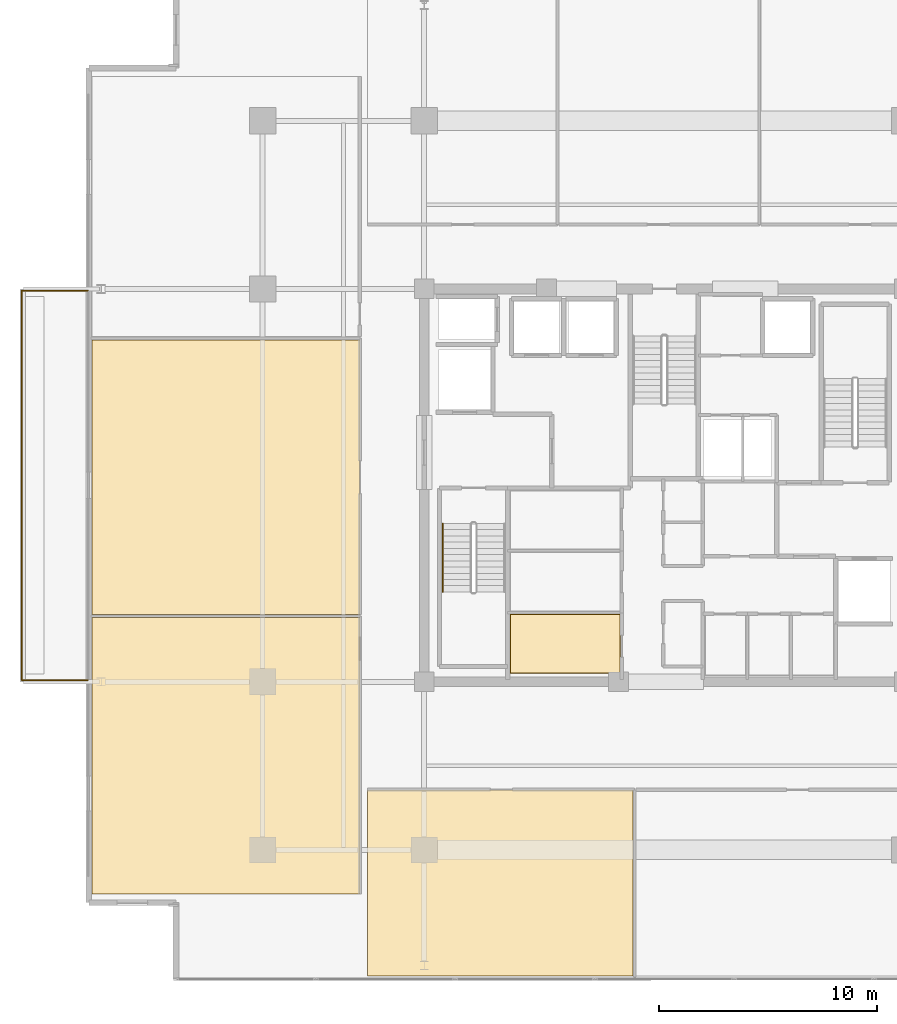
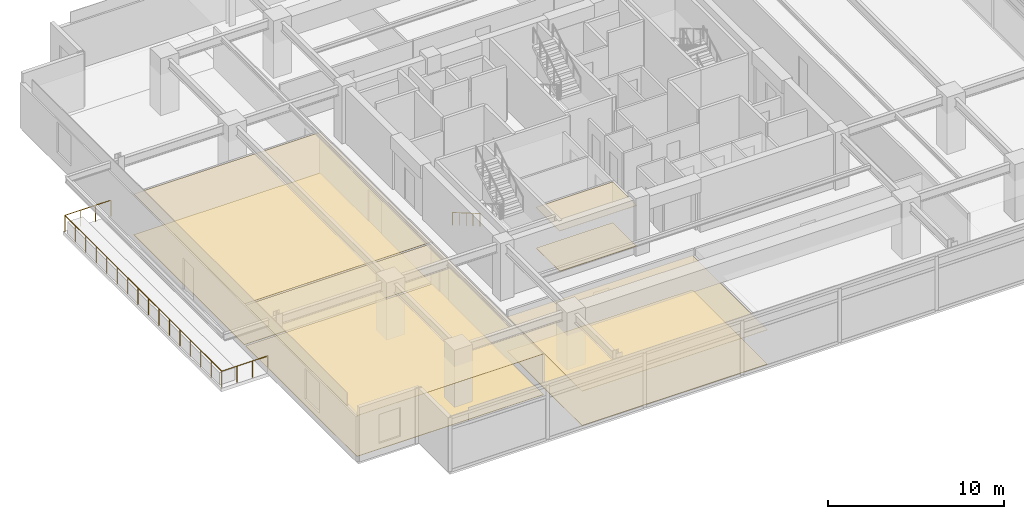
# One storey, part 19 of 21: 8 coverings, 2 railings.
"""IFC4 building model written with IfcOpenShell, lengths in metres."""

from ifc_helpers import new_model, si_unit, direction, frame, origin, origin_2d, place, context, subcontext, project, spatial, polyline, circle, outline, extrude, material, layer, layer_set, type_object, element, save


model = new_model("IFC4")

# Units and contexts
model_context = context("Model", 3, precision=1e-05, world=origin(), true_north=direction((0.0, 1.0)))
body_context = subcontext(model_context, "Body", "Model", "MODEL_VIEW")
ifc_project = project(units=[si_unit("LENGTHUNIT", "METRE"), si_unit("AREAUNIT", "SQUARE_METRE"), si_unit("VOLUMEUNIT", "CUBIC_METRE"), si_unit("PLANEANGLEUNIT", "RADIAN"), si_unit("MASSUNIT", "GRAM", prefix="KILO")], contexts=[model_context])

# Site, building, storey
site_placement = place(None, origin())
site = spatial("IfcSite", under=ifc_project, at=site_placement, CompositionType="ELEMENT")
building_placement = place(site_placement, origin())
building = spatial("IfcBuilding", under=site, at=building_placement, Name="Kovane Verandah Tower", CompositionType="ELEMENT")
storey_placement = place(building_placement, frame((0.0, 0.0, 247.199951171875)))
storey = spatial("IfcBuildingStorey", under=building, at=storey_placement, Name="L57", CompositionType="ELEMENT", Elevation=247.199951171875)

# Coverings
ifc_material_1 = material(Name="Perforated Acoustic Mineral-Fibre Ceiling Tile", Category="gypsum")
ifc_layer_1 = layer(ifc_material_1, 0.02490234375)
ifc_layer_set_1 = layer_set([ifc_layer_1], Name="Perforated Acoustic Mineral-Fibre Ceiling Tile")
covering_type_1 = type_object("IfcCoveringType", Name="CV-CEIL-25", PredefinedType="CEILING", material=ifc_layer_set_1)
covering_1_placement = place(storey_placement, frame((0.0, 0.0, 2.824951171875)))
element("IfcCovering", 1, at=covering_1_placement, inside=storey, type_object=covering_type_1, Name="L57 Project Archive Room Acoustic Ceiling", PredefinedType="CEILING", context=body_context, shape_type="SweptSolid", body=[
    extrude(outline(polyline([(32.93505859375, 18.885009765625), (37.9951171875, 18.885009765625), (37.9951171875, 21.594970703125), (32.93505859375, 21.594970703125), (32.93505859375, 18.885009765625)])), origin(), (0.0, 0.0, 1.0), 0.025146484375),
])
covering_2_placement = place(storey_placement, frame((0.0, 0.0, 2.39013671875)))
element("IfcCovering", 2, at=covering_2_placement, inside=storey, type_object=covering_type_1, Name="L57 Document and Print Room S1 Acoustic Ceiling", PredefinedType="CEILING", context=body_context, shape_type="SweptSolid", body=[
    extrude(outline(polyline([(26.39990234375, 5.03173828125), (38.570068359375, 5.03173828125), (38.570068359375, 13.550048828125), (26.39990234375, 13.550048828125), (26.39990234375, 5.03173828125)])), origin(), (0.0, 0.0, 1.0), 0.02490234375),
])
covering_3_placement = place(storey_placement, frame((0.0, 0.0, 2.824951171875)))
element("IfcCovering", 3, at=covering_3_placement, inside=storey, type_object=covering_type_1, Name="L57 Executive Office W1 Acoustic Ceiling", PredefinedType="CEILING", context=body_context, shape_type="SweptSolid", body=[
    extrude(outline(polyline([(13.783447265625, 8.78173828125), (26.050048828125, 8.78173828125), (26.050048828125, 21.440185546875), (13.783447265625, 21.440185546875), (13.783447265625, 8.78173828125)])), origin(), (0.0, 0.0, 1.0), 0.025146484375),
])
covering_4_placement = place(storey_placement, frame((0.0, 0.0, 2.824951171875)))
element("IfcCovering", 4, at=covering_4_placement, inside=storey, type_object=covering_type_1, Name="L57 Client Boardroom W2 Acoustic Ceiling", PredefinedType="CEILING", context=body_context, shape_type="SweptSolid", body=[
    extrude(outline(polyline([(13.783447265625, 21.580078125), (26.050048828125, 21.580078125), (26.050048828125, 34.168701171875), (13.783447265625, 34.168701171875), (13.783447265625, 21.580078125)])), origin(), (0.0, 0.0, 1.0), 0.025146484375),
])
ifc_material_2 = material(Name="Polished Terrazzo and Raised-Access Carpet Tile Finish", Category="concrete")
ifc_layer_2 = layer(ifc_material_2, 0.030029296875)
ifc_layer_set_2 = layer_set([ifc_layer_2], Name="Polished Terrazzo and Raised-Access Carpet Tile Finish")
covering_type_2 = type_object("IfcCoveringType", Name="CV-FLOR-30", PredefinedType="FLOORING", material=ifc_layer_set_2)
covering_5_placement = place(storey_placement, origin())
element("IfcCovering", 5, at=covering_5_placement, inside=storey, type_object=covering_type_2, Name="L57 Project Archive Room Floor Finish", PredefinedType="FLOORING", context=body_context, shape_type="SweptSolid", body=[
    extrude(outline(polyline([(32.949951171875, 18.89990234375), (37.97998046875, 18.89990234375), (37.97998046875, 21.580078125), (32.949951171875, 21.580078125), (32.949951171875, 18.89990234375)])), origin(), (0.0, 0.0, 1.0), 0.030029296875),
])
covering_6_placement = place(storey_placement, origin())
element("IfcCovering", 6, at=covering_6_placement, inside=storey, type_object=covering_type_2, Name="L57 Document and Print Room S1 Floor Finish", PredefinedType="FLOORING", context=body_context, shape_type="SweptSolid", body=[
    extrude(outline(polyline([(26.39990234375, 5.03173828125), (38.570068359375, 5.03173828125), (38.570068359375, 13.550048828125), (26.39990234375, 13.550048828125), (26.39990234375, 5.03173828125)])), origin(), (0.0, 0.0, 1.0), 0.030029296875),
])
covering_7_placement = place(storey_placement, origin())
element("IfcCovering", 7, at=covering_7_placement, inside=storey, type_object=covering_type_2, Name="L57 Executive Office W1 Floor Finish", PredefinedType="FLOORING", context=body_context, shape_type="SweptSolid", body=[
    extrude(outline(polyline([(13.783447265625, 8.78173828125), (26.050048828125, 8.78173828125), (26.050048828125, 21.440185546875), (13.783447265625, 21.440185546875), (13.783447265625, 8.78173828125)])), origin(), (0.0, 0.0, 1.0), 0.030029296875),
])
covering_8_placement = place(storey_placement, origin())
element("IfcCovering", 8, at=covering_8_placement, inside=storey, type_object=covering_type_2, Name="L57 Client Boardroom W2 Floor Finish", PredefinedType="FLOORING", context=body_context, shape_type="SweptSolid", body=[
    extrude(outline(polyline([(13.783447265625, 21.580078125), (26.050048828125, 21.580078125), (26.050048828125, 34.168701171875), (13.783447265625, 34.168701171875), (13.783447265625, 21.580078125)])), origin(), (0.0, 0.0, 1.0), 0.030029296875),
])

# Railings
ifc_material_3 = material(Name="Laminated Glass and Pale-Champagne Stainless Balustrade", Category="glass")
railing_type_1 = type_object("IfcRailingType", Name="RL-BAL-1150", PredefinedType="BALUSTRADE", material=ifc_material_3)
railing_1_placement = place(storey_placement, frame((13.58349609375, 18.580078125, 0.0)))
element("IfcRailing", 9, at=railing_1_placement, inside=storey, type_object=railing_type_1, Name="L57 W Verandah Glass Balustrade", PredefinedType="BALUSTRADE", context=body_context, shape_type="SweptSolid", body=[
    extrude(circle(Radius=0.02392578125, at=origin_2d()), frame((0.0, 0.0, 1.1259765625), z_axis=(-1.0, 0.0, 0.0), x_axis=(0.0, -1.0, 0.0)), (0.0, 0.0, 1.0), 3.02001953125),
    extrude(circle(Radius=0.02392578125, at=origin_2d()), frame((-3.02001953125, 0.0, 1.1259765625), z_axis=(0.0, 1.0, 0.0), x_axis=(-1.0, 0.0, 0.0)), (0.0, 0.0, 1.0), 17.83984375),
    extrude(circle(Radius=0.02392578125, at=origin_2d()), frame((-3.02001953125, 17.83984375, 1.1259765625), z_axis=(1.0, 0.0, 0.0), x_axis=(0.0, 1.0, 0.0)), (0.0, 0.0, 1.0), 3.02001953125),
    extrude(circle(Radius=0.02099609375, at=origin_2d()), origin(), (0.0, 0.0, 1.0), 1.101806640625),
    extrude(circle(Radius=0.02099609375, at=origin_2d()), frame((-1.006591796875, 0.0, 0.0)), (0.0, 0.0, 1.0), 1.101806640625),
    extrude(circle(Radius=0.02099609375, at=origin_2d()), frame((-2.013427734375, 0.0, 0.0)), (0.0, 0.0, 1.0), 1.101806640625),
    extrude(circle(Radius=0.02099609375, at=origin_2d()), frame((-3.02001953125, 0.0, 0.0)), (0.0, 0.0, 1.0), 1.101806640625),
    extrude(circle(Radius=0.02099609375, at=origin_2d()), frame((-3.02001953125, 1.189208984375, 0.0)), (0.0, 0.0, 1.0), 1.101806640625),
    extrude(circle(Radius=0.02099609375, at=origin_2d()), frame((-3.02001953125, 2.378662109375, 0.0)), (0.0, 0.0, 1.0), 1.101806640625),
    extrude(circle(Radius=0.02099609375, at=origin_2d()), frame((-3.02001953125, 3.56787109375, 0.0)), (0.0, 0.0, 1.0), 1.101806640625),
    extrude(circle(Radius=0.02099609375, at=origin_2d()), frame((-3.02001953125, 4.75732421875, 0.0)), (0.0, 0.0, 1.0), 1.101806640625),
    extrude(circle(Radius=0.02099609375, at=origin_2d()), frame((-3.02001953125, 5.946533203125, 0.0)), (0.0, 0.0, 1.0), 1.101806640625),
    extrude(circle(Radius=0.02099609375, at=origin_2d()), frame((-3.02001953125, 7.135986328125, 0.0)), (0.0, 0.0, 1.0), 1.101806640625),
    extrude(circle(Radius=0.02099609375, at=origin_2d()), frame((-3.02001953125, 8.3251953125, 0.0)), (0.0, 0.0, 1.0), 1.101806640625),
    extrude(circle(Radius=0.02099609375, at=origin_2d()), frame((-3.02001953125, 9.5146484375, 0.0)), (0.0, 0.0, 1.0), 1.101806640625),
    extrude(circle(Radius=0.02099609375, at=origin_2d()), frame((-3.02001953125, 10.703857421875, 0.0)), (0.0, 0.0, 1.0), 1.101806640625),
    extrude(circle(Radius=0.02099609375, at=origin_2d()), frame((-3.02001953125, 11.893310546875, 0.0)), (0.0, 0.0, 1.0), 1.101806640625),
    extrude(circle(Radius=0.02099609375, at=origin_2d()), frame((-3.02001953125, 13.08251953125, 0.0)), (0.0, 0.0, 1.0), 1.101806640625),
    extrude(circle(Radius=0.02099609375, at=origin_2d()), frame((-3.02001953125, 14.27197265625, 0.0)), (0.0, 0.0, 1.0), 1.101806640625),
    extrude(circle(Radius=0.02099609375, at=origin_2d()), frame((-3.02001953125, 15.461181640625, 0.0)), (0.0, 0.0, 1.0), 1.101806640625),
    extrude(circle(Radius=0.02099609375, at=origin_2d()), frame((-3.02001953125, 16.650634765625, 0.0)), (0.0, 0.0, 1.0), 1.101806640625),
    extrude(circle(Radius=0.02099609375, at=origin_2d()), frame((-3.02001953125, 17.83984375, 0.0)), (0.0, 0.0, 1.0), 1.101806640625),
    extrude(circle(Radius=0.02099609375, at=origin_2d()), frame((-2.013427734375, 17.83984375, 0.0)), (0.0, 0.0, 1.0), 1.101806640625),
    extrude(circle(Radius=0.02099609375, at=origin_2d()), frame((-1.006591796875, 17.83984375, 0.0)), (0.0, 0.0, 1.0), 1.101806640625),
    extrude(circle(Radius=0.02099609375, at=origin_2d()), frame((0.0, 17.83984375, 0.0)), (0.0, 0.0, 1.0), 1.101806640625),
])
ifc_material_4 = material(Name="Brushed Stainless Steel Handrail", Category="steel")
railing_type_2 = type_object("IfcRailingType", Name="RL-HAND-920", PredefinedType="HANDRAIL", material=ifc_material_4)
railing_2_placement = place(storey_placement, frame((29.85009765625, 25.75, 0.166748046875)))
element("IfcRailing", 10, at=railing_2_placement, inside=storey, type_object=railing_type_2, Name="L57 ST-01 stair handrail 1", PredefinedType="HANDRAIL", context=body_context, shape_type="SweptSolid", body=[
    extrude(circle(Radius=0.02392578125, at=origin_2d()), frame((0.0, 0.0, 0.8759765625), z_axis=(0.0, -0.863239559939, 0.504794475164), x_axis=(1.0, 0.0, 0.0)), (0.0, 0.0, 1.0), 3.631591796875),
    extrude(circle(Radius=0.02099609375, at=origin_2d()), origin(), (0.0, 0.0, 1.0), 0.851806640625),
    extrude(circle(Radius=0.02099609375, at=origin_2d()), frame((0.0, -0.78369140625, 0.458251953125)), (0.0, 0.0, 1.0), 0.851806640625),
    extrude(circle(Radius=0.02099609375, at=origin_2d()), frame((0.0, -1.5673828125, 0.91650390625)), (0.0, 0.0, 1.0), 0.851806640625),
    extrude(circle(Radius=0.02099609375, at=origin_2d()), frame((0.0, -2.351318359375, 1.375)), (0.0, 0.0, 1.0), 0.851806640625),
    extrude(circle(Radius=0.02099609375, at=origin_2d()), frame((0.0, -3.135009765625, 1.833251953125)), (0.0, 0.0, 1.0), 0.851806640625),
])

save(model, "model.ifc")
